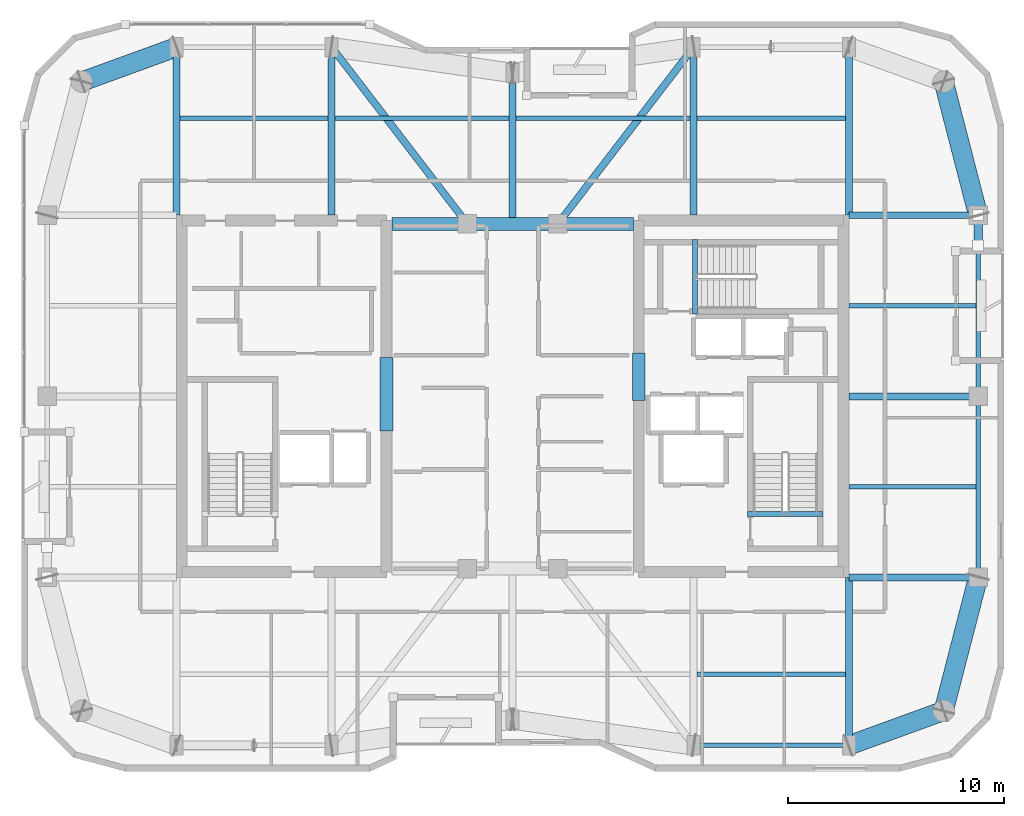
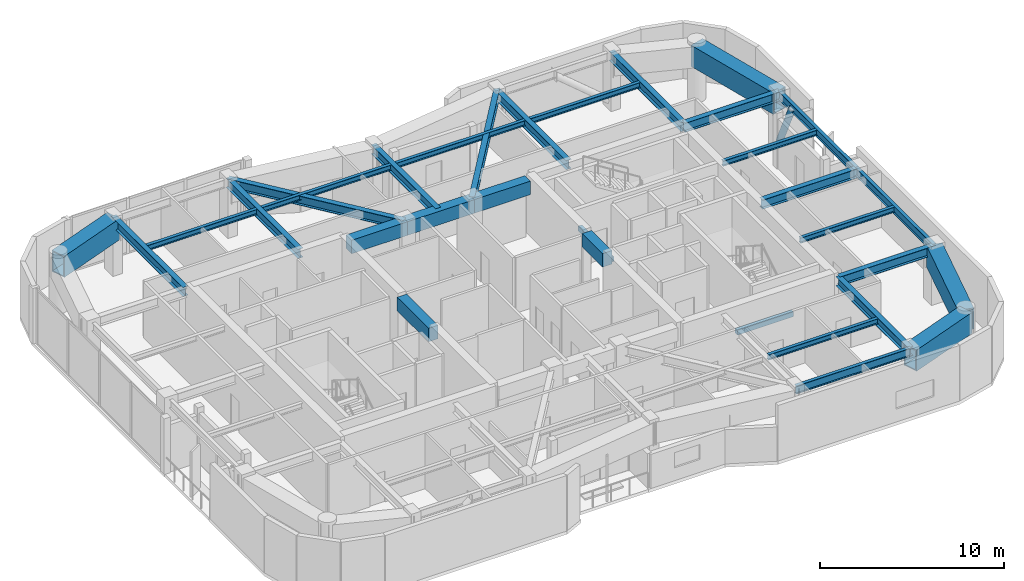
# One storey, part 5 of 15: 32 beams, 1 member.
"""IFC4 building model written with IfcOpenShell, lengths in metres."""

import ifcopenshell
import ifcopenshell.guid

model = None  # the IFC model being written
_history = None  # IfcOwnerHistory: only IFC2X3 demands one
_inside = {}  # id of a spatial element -> (the spatial element, [elements in it])
_under = {}  # id of a project, library or spatial element -> (it, [spatial elements below it])
_declared = {}  # id of a project -> (the project, [libraries it declares])
_typed = {}  # id of a type object -> (the type object, [elements of that type])
_made_of = {}  # id of a material, layer set ... -> (it, [elements and type objects made of it])


def new_model(schema):
    """Start an empty IFC model of exactly this schema.

    Asked for "IFC4X3", IfcOpenShell would pick the latest addendum, in which some entities
    have other attributes; the version numbers below select the first issue.
    IFC2X3 requires an IfcOwnerHistory on every rooted entity: one is made here for all.
    """
    global model, _history
    if schema == "IFC4X3":
        model = ifcopenshell.file(schema_version=(4, 3, 0, 0))
    else:
        model = ifcopenshell.file(schema=schema)
    _inside.clear()
    _under.clear()
    _declared.clear()
    _typed.clear()
    _made_of.clear()
    _history = None
    if model.schema == "IFC2X3":
        org = make("IfcOrganization", Name="unknown")
        user = make(
            "IfcPersonAndOrganization",
            ThePerson=make("IfcPerson", FamilyName="unknown"),
            TheOrganization=org,
        )
        app = make(
            "IfcApplication",
            ApplicationDeveloper=org,
            Version="unknown",
            ApplicationFullName="unknown",
            ApplicationIdentifier="unknown",
        )
        _history = make(
            "IfcOwnerHistory",
            OwningUser=user,
            OwningApplication=app,
            ChangeAction="ADDED",
            CreationDate=0,
        )
    return model


def make(cls, **values):
    """One entity of the class cls with the attributes given. An attribute that is None is left unset."""
    return model.create_entity(
        cls, **{name: value for name, value in values.items() if value is not None}
    )


def rooted(cls, **values):
    """An entity with a GlobalId (a new one), such as an element, a storey or a relation."""
    return make(cls, GlobalId=ifcopenshell.guid.new(), OwnerHistory=_history, **values)


def si_unit(unit_type, name, prefix=None):
    """IfcSIUnit, for example si_unit("LENGTHUNIT", "METRE", prefix="MILLI")."""
    return make("IfcSIUnit", UnitType=unit_type, Prefix=prefix, Name=name)


def assignment(units):
    """IfcUnitAssignment: the units of a project."""
    return None if units is None else make("IfcUnitAssignment", Units=units)


def point(xyz):
    """IfcCartesianPoint."""
    return None if xyz is None else make("IfcCartesianPoint", Coordinates=xyz)


def direction(xyz):
    """IfcDirection."""
    return None if xyz is None else make("IfcDirection", DirectionRatios=xyz)


def frame(location, z_axis=None, x_axis=None):
    """IfcAxis2Placement3D, a coordinate frame: its origin and axes. An axis left out is left unset."""
    return make(
        "IfcAxis2Placement3D",
        Location=point(location),
        Axis=direction(z_axis),
        RefDirection=direction(x_axis),
    )


def frame_2d(location, x_axis=None):
    """IfcAxis2Placement2D, a coordinate frame in the plane: its origin and x axis."""
    return make(
        "IfcAxis2Placement2D", Location=point(location), RefDirection=direction(x_axis)
    )


def origin():
    """The frame at (0, 0, 0) with its axes left unset."""
    return frame((0.0, 0.0, 0.0))


def origin_2d():
    """The frame at (0, 0) in the plane with its x axis left unset."""
    return frame_2d((0.0, 0.0))


def place(relative_to, where):
    """IfcLocalPlacement: puts the frame where relative to a parent placement (None: the world)."""
    return make(
        "IfcLocalPlacement", PlacementRelTo=relative_to, RelativePlacement=where
    )


def context(
    kind, dimensions, precision=None, world=None, true_north=None, identifier=None
):
    """IfcGeometricRepresentationContext, for example the 3D "Model" context."""
    return make(
        "IfcGeometricRepresentationContext",
        ContextIdentifier=identifier,
        ContextType=kind,
        CoordinateSpaceDimension=dimensions,
        Precision=precision,
        WorldCoordinateSystem=world,
        TrueNorth=true_north,
    )


def subcontext(parent, identifier, kind, view, scale=None):
    """IfcGeometricRepresentationSubContext, for example "Body" below "Model"."""
    return make(
        "IfcGeometricRepresentationSubContext",
        ContextIdentifier=identifier,
        ContextType=kind,
        ParentContext=parent,
        TargetScale=scale,
        TargetView=view,
    )


def project(units=None, contexts=None):
    """IfcProject with its units and contexts."""
    return rooted(
        "IfcProject",
        Name="project",
        RepresentationContexts=contexts,
        UnitsInContext=assignment(units),
    )


def spatial(cls, under=None, at=None, **own):
    """A site, building, storey or space (cls), placed at a placement, below another one or the project."""
    s = rooted(cls, ObjectPlacement=at, **own)
    if under is not None:
        _under.setdefault(under.id(), (under, []))[1].append(s)
    return s


def profile(cls, at=None, kind="AREA", **sizes):
    """A parametric profile (cls). Its sizes go by their IFC names, for example OverallWidth=200.0."""
    return make(cls, ProfileType=kind, Position=at, **sizes)


def rectangle(**sizes):
    """IfcRectangleProfileDef."""
    return profile("IfcRectangleProfileDef", **sizes)


def hollow_rectangle(**sizes):
    """IfcRectangleHollowProfileDef."""
    return profile("IfcRectangleHollowProfileDef", **sizes)


def hollow_circle(**sizes):
    """IfcCircleHollowProfileDef."""
    return profile("IfcCircleHollowProfileDef", **sizes)


def i_section(**sizes):
    """IfcIShapeProfileDef."""
    return profile("IfcIShapeProfileDef", **sizes)


def extrude(swept, where, along, depth):
    """IfcExtrudedAreaSolid: the profile swept, set in the frame where, extruded along a direction by depth."""
    return make(
        "IfcExtrudedAreaSolid",
        SweptArea=swept,
        Position=where,
        ExtrudedDirection=direction(along),
        Depth=depth,
    )


def shape(context_of_items, identifier, shape_type, items):
    """IfcShapeRepresentation: the items that make up one representation, for example the "Body"."""
    return make(
        "IfcShapeRepresentation",
        ContextOfItems=context_of_items,
        RepresentationIdentifier=identifier,
        RepresentationType=shape_type,
        Items=items,
    )


def material(Name=None, Category=None):
    """IfcMaterial."""
    return make("IfcMaterial", Name=Name, Category=Category)


def material_profile(
    of_material, cross_section, Name=None, Category=None, Priority=None
):
    """IfcMaterialProfile: a cross section and its material."""
    return make(
        "IfcMaterialProfile",
        Name=Name,
        Material=of_material,
        Profile=cross_section,
        Priority=Priority,
        Category=Category,
    )


def profile_set(profiles, Name=None, composite=None):
    """IfcMaterialProfileSet."""
    return make(
        "IfcMaterialProfileSet",
        Name=Name,
        MaterialProfiles=profiles,
        CompositeProfile=composite,
    )


def made_of(thing, what):
    """Note that an element or type object is made of a material, layer set ...; save() writes the relation."""
    if what is not None:
        _made_of.setdefault(what.id(), (what, []))[1].append(thing)
    return thing


def type_object(cls, material=None, **own):
    """A type object (cls), such as IfcWallType, which elements share."""
    return made_of(rooted(cls, **own), material)


def element(
    cls,
    number,
    at=None,
    inside=None,
    cuts=None,
    type_object=None,
    material=None,
    context=None,
    identifier="Body",
    shape_type=None,
    held_by="IfcProductDefinitionShape",
    body=None,
    shapes=None,
    **own,
):
    """One element of the class cls, such as IfcWall. Its Tag is "e" and its number.

    at: its placement. inside: the storey or other place that contains it. cuts: it is an
    opening in that element (IfcRelVoidsElement). A single representation is given by context,
    identifier, shape_type and body (its items); several are given by shapes. held_by: the class
    of the entity that holds the representations. save() writes the other relations.
    """
    e = rooted(cls, Tag="e%d" % number, ObjectPlacement=at, **own)
    if body is not None:
        shapes = [shape(context, identifier, shape_type, body)]
    if shapes is not None:
        e.Representation = make(held_by, Representations=shapes)
    if inside is not None:
        _inside.setdefault(inside.id(), (inside, []))[1].append(e)
    if cuts is not None:
        rooted(
            "IfcRelVoidsElement", RelatingBuildingElement=cuts, RelatedOpeningElement=e
        )
    if type_object is not None:
        _typed.setdefault(type_object.id(), (type_object, []))[1].append(e)
    return made_of(e, material)


def aggregate(whole, parts):
    """IfcRelAggregates: a whole, such as a stair, and the parts it consists of."""
    return rooted("IfcRelAggregates", RelatingObject=whole, RelatedObjects=parts)


def save(model, path):
    """Write the relations noted so far, then the file.

    IfcRelAggregates (storeys below a building ...), IfcRelContainedInSpatialStructure (elements
    in a storey), IfcRelDefinesByType, IfcRelAssociatesMaterial and IfcRelDeclares: one each for
    every whole, place, type object, material and project.
    """
    for whole, parts in _under.values():
        aggregate(whole, parts)
    for where, things in _inside.values():
        rooted(
            "IfcRelContainedInSpatialStructure",
            RelatedElements=things,
            RelatingStructure=where,
        )
    for kind, things in _typed.values():
        rooted("IfcRelDefinesByType", RelatedObjects=things, RelatingType=kind)
    for what, things in _made_of.values():
        rooted("IfcRelAssociatesMaterial", RelatedObjects=things, RelatingMaterial=what)
    for by, libraries in _declared.values():
        rooted("IfcRelDeclares", RelatingContext=by, RelatedDefinitions=libraries)
    model.write(path)


model = new_model("IFC4")

# Units and contexts
model_context = context("Model", 3, precision=1e-05, world=origin(), true_north=direction((0.0, 1.0)))
body_context = subcontext(model_context, "Body", "Model", "MODEL_VIEW")
ifc_project = project(units=[si_unit("LENGTHUNIT", "METRE"), si_unit("AREAUNIT", "SQUARE_METRE"), si_unit("VOLUMEUNIT", "CUBIC_METRE"), si_unit("PLANEANGLEUNIT", "RADIAN"), si_unit("MASSUNIT", "GRAM", prefix="KILO")], contexts=[model_context])

# Site, building, storey
site_placement = place(None, origin())
site = spatial("IfcSite", under=ifc_project, at=site_placement, CompositionType="ELEMENT")
building_placement = place(site_placement, origin())
building = spatial("IfcBuilding", under=site, at=building_placement, Name="Kiyonajd Concourse Tower", CompositionType="ELEMENT")
storey_placement = place(building_placement, frame((0.0, 0.0, 321.89990234375)))
storey = spatial("IfcBuildingStorey", under=building, at=storey_placement, Name="L81", CompositionType="ELEMENT", Elevation=321.89990234375)

# Beams
ifc_material_1 = material(Name="Concrete C60/75", Category="concrete")
ifc_material_profile_1 = material_profile(ifc_material_1, rectangle(XDim=0.60009765625, YDim=0.89990234375, at=origin_2d()), Name="RCBM-600x900")
ifc_profile_set_1 = profile_set([ifc_material_profile_1], Name="Concrete C60/75")
beam_type_1 = type_object("IfcBeamType", Name="BM-COUP-900", PredefinedType="LINTEL", material=ifc_profile_set_1)
beam_1_placement = place(storey_placement, frame((42.39990234375, 44.0, 3.22998046875), z_axis=(1.0, 0.0, 0.0), x_axis=(0.0, 1.0, 0.0)))
element("IfcBeam", 1, at=beam_1_placement, inside=storey, type_object=beam_type_1, Name="L81 Core Coupling Beam N1", PredefinedType="LINTEL", context=body_context, shape_type="SweptSolid", body=[
    extrude(rectangle(XDim=0.60009765625, YDim=0.89990234375, at=origin_2d()), origin(), (0.0, 0.0, 1.0), 3.5),
])
beam_2_placement = place(storey_placement, frame((45.89990234375, 44.0, 3.22998046875), z_axis=(1.0, 0.0, 0.0), x_axis=(0.0, 1.0, 0.0)))
element("IfcBeam", 2, at=beam_2_placement, inside=storey, type_object=beam_type_1, Name="L81 Core Coupling Beam N2", PredefinedType="LINTEL", context=body_context, shape_type="SweptSolid", body=[
    extrude(rectangle(XDim=0.60009765625, YDim=0.89990234375, at=origin_2d()), origin(), (0.0, 0.0, 1.0), 4.2001953125),
])
beam_3_placement = place(storey_placement, frame((50.10009765625, 44.0, 3.22998046875), z_axis=(1.0, 0.0, 0.0), x_axis=(0.0, 1.0, 0.0)))
element("IfcBeam", 3, at=beam_3_placement, inside=storey, type_object=beam_type_1, Name="L81 Core Coupling Beam N3", PredefinedType="LINTEL", context=body_context, shape_type="SweptSolid", body=[
    extrude(rectangle(XDim=0.60009765625, YDim=0.89990234375, at=origin_2d()), origin(), (0.0, 0.0, 1.0), 3.5),
])
beam_4_placement = place(storey_placement, frame((42.14990234375, 34.39990234375, 3.22998046875), z_axis=(0.0, 1.0, 0.0), x_axis=(-1.0, 0.0, 0.0)))
element("IfcBeam", 4, at=beam_4_placement, inside=storey, type_object=beam_type_1, Name="L81 West Core Throat Coupling Lintel", PredefinedType="LINTEL", context=body_context, shape_type="SweptSolid", body=[
    extrude(rectangle(XDim=0.60009765625, YDim=0.89990234375, at=origin_2d()), origin(), (0.0, 0.0, 1.0), 3.400146484375),
])
beam_5_placement = place(storey_placement, frame((53.85009765625, 35.800048828125, 3.22998046875), z_axis=(0.0, 1.0, 0.0), x_axis=(-1.0, 0.0, 0.0)))
element("IfcBeam", 5, at=beam_5_placement, inside=storey, type_object=beam_type_1, Name="L81 East Core Throat Coupling Lintel", PredefinedType="LINTEL", context=body_context, shape_type="SweptSolid", body=[
    extrude(rectangle(XDim=0.60009765625, YDim=0.89990234375, at=origin_2d()), origin(), (0.0, 0.0, 1.0), 2.199951171875),
])
ifc_material_2 = material(Name="Steel ASTM A992 Grade 50", Category="steel")
ifc_material_profile_2 = material_profile(ifc_material_2, i_section(OverallWidth=0.205078125, OverallDepth=0.35400390625, WebThickness=0.009521484375, FlangeThickness=0.016845703125, at=origin_2d()), Name="W360X79")
ifc_profile_set_2 = profile_set([ifc_material_profile_2], Name="Steel ASTM A992 Grade 50")
beam_type_2 = type_object("IfcBeamType", Name="BM-JST-360", PredefinedType="JOIST", material=ifc_profile_set_2)
for number, where, z_axis, x_axis, name in (
    (6, (56.56201171875, 23.10009765625, 3.503173828125), (1.0, 0.0, 0.0), (0.0, 1.0, 0.0), "L81 Secondary Floor Joist"),
    (7, (32.56201171875, 48.89990234375, 3.503173828125), (1.0, 0.0, 0.0), (0.0, 1.0, 0.0), "L81 Secondary Floor Joist"),
):
    element("IfcBeam", number, at=place(storey_placement, frame(where, z_axis=z_axis, x_axis=x_axis)), inside=storey, type_object=beam_type_2, Name=name, PredefinedType="JOIST", context=body_context, shape_type="SweptSolid", body=[
        extrude(i_section(OverallWidth=0.205078125, OverallDepth=0.35400390625, WebThickness=0.009521484375, FlangeThickness=0.016845703125, at=origin_2d()), origin(), (0.0, 0.0, 1.0), 6.8759765625),
    ])
for number, where, z_axis, x_axis, name in (
    (8, (39.761962890625, 48.89990234375, 3.503173828125), (1.0, 0.0, 0.0), (0.0, 1.0, 0.0), "L81 Secondary Floor Joist"),
    (9, (48.162109375, 48.89990234375, 3.503173828125), (1.0, 0.0, 0.0), (0.0, 1.0, 0.0), "L81 Secondary Floor Joist"),
):
    element("IfcBeam", number, at=place(storey_placement, frame(where, z_axis=z_axis, x_axis=x_axis)), inside=storey, type_object=beam_type_2, Name=name, PredefinedType="JOIST", context=body_context, shape_type="SweptSolid", body=[
        extrude(i_section(OverallWidth=0.205078125, OverallDepth=0.35400390625, WebThickness=0.009521484375, FlangeThickness=0.016845703125, at=origin_2d()), origin(), (0.0, 0.0, 1.0), 8.075927734375),
    ])
beam_6_placement = place(storey_placement, frame((56.56201171875, 48.89990234375, 3.503173828125), z_axis=(1.0, 0.0, 0.0), x_axis=(0.0, 1.0, 0.0)))
element("IfcBeam", 10, at=beam_6_placement, inside=storey, type_object=beam_type_2, Name="L81 Secondary Floor Joist", PredefinedType="JOIST", context=body_context, shape_type="SweptSolid", body=[
    extrude(i_section(OverallWidth=0.205078125, OverallDepth=0.35400390625, WebThickness=0.009521484375, FlangeThickness=0.016845703125, at=origin_2d()), origin(), (0.0, 0.0, 1.0), 6.8759765625),
])
for number, where, z_axis, x_axis, name in (
    (11, (63.60009765625, 31.800048828125, 3.503173828125), (1.0, 0.0, 0.0), (0.0, 1.0, 0.0), "L81 East Secondary Floor Joist"),
    (12, (63.60009765625, 40.199951171875, 3.503173828125), (1.0, 0.0, 0.0), (0.0, 1.0, 0.0), "L81 East Secondary Floor Joist"),
):
    element("IfcBeam", number, at=place(storey_placement, frame(where, z_axis=z_axis, x_axis=x_axis)), inside=storey, type_object=beam_type_2, Name=name, PredefinedType="JOIST", context=body_context, shape_type="SweptSolid", body=[
        extrude(i_section(OverallWidth=0.205078125, OverallDepth=0.35400390625, WebThickness=0.009521484375, FlangeThickness=0.016845703125, at=origin_2d()), origin(), (0.0, 0.0, 1.0), 5.894287109375),
    ])
ifc_material_3 = material(Name="Concrete C50/60", Category="concrete")
ifc_material_profile_3 = material_profile(ifc_material_3, rectangle(XDim=0.239990234375, YDim=0.320068359375, at=origin_2d()), Name="RCBM-240x320")
ifc_profile_set_3 = profile_set([ifc_material_profile_3], Name="Concrete C50/60")
beam_type_3 = type_object("IfcBeamType", Name="BM-LNT-250", PredefinedType="LINTEL", material=ifc_profile_set_3)
beam_7_placement = place(storey_placement, frame((58.889892578125, 30.530029296875, -0.159912109375), z_axis=(1.0, 0.0, 0.0), x_axis=(0.0, 1.0, 0.0)))
element("IfcBeam", 13, at=beam_7_placement, inside=storey, type_object=beam_type_3, Name="L81 Stair ST2 Threshold Support Beam", PredefinedType="LINTEL", context=body_context, shape_type="SweptSolid", body=[
    extrude(rectangle(XDim=0.239990234375, YDim=0.320068359375, at=origin_2d()), origin(), (0.0, 0.0, 1.0), 3.52001953125),
])
beam_8_placement = place(storey_placement, frame((56.4599609375, 39.820068359375, -0.159912109375), z_axis=(0.0, 1.0, 0.0), x_axis=(-1.0, 0.0, 0.0)))
element("IfcBeam", 14, at=beam_8_placement, inside=storey, type_object=beam_type_3, Name="L81 Stair ST3 Threshold Support Beam", PredefinedType="LINTEL", context=body_context, shape_type="SweptSolid", body=[
    extrude(rectangle(XDim=0.239990234375, YDim=0.320068359375, at=origin_2d()), origin(), (0.0, 0.0, 1.0), 3.4599609375),
])
ifc_material_profile_4 = material_profile(ifc_material_2, i_section(OverallWidth=0.2109375, OverallDepth=0.5390625, WebThickness=0.01171875, FlangeThickness=0.018798828125, at=origin_2d()), Name="W530X109")
ifc_profile_set_4 = profile_set([ifc_material_profile_4], Name="Steel ASTM A992 Grade 50")
beam_type_4 = type_object("IfcBeamType", Name="BM-SPAN-530B", PredefinedType="SPANDREL", material=ifc_profile_set_4)
beam_9_placement = place(storey_placement, frame((56.39990234375, 19.800048828125, 3.41064453125), z_axis=(1.0, 0.0, 0.0), x_axis=(0.0, 1.0, 0.0)))
element("IfcBeam", 15, at=beam_9_placement, inside=storey, type_object=beam_type_4, Name="L81 Perimeter Bundled Tube Spandrel", PredefinedType="SPANDREL", context=body_context, shape_type="SweptSolid", body=[
    extrude(i_section(OverallWidth=0.2109375, OverallDepth=0.5390625, WebThickness=0.01171875, FlangeThickness=0.018798828125, at=origin_2d()), origin(), (0.0, 0.0, 1.0), 7.2001953125),
])
for number, where, z_axis, x_axis, name in (
    (16, (69.60009765625, 27.60009765625, 3.41064453125), (0.0, 1.0, 0.0), (-1.0, 0.0, 0.0), "L81 Perimeter Bundled Tube Spandrel"),
    (17, (69.60009765625, 36.0, 3.41064453125), (0.0, 1.0, 0.0), (-1.0, 0.0, 0.0), "L81 Perimeter Bundled Tube Spandrel"),
):
    element("IfcBeam", number, at=place(storey_placement, frame(where, z_axis=z_axis, x_axis=x_axis)), inside=storey, type_object=beam_type_4, Name=name, PredefinedType="SPANDREL", context=body_context, shape_type="SweptSolid", body=[
        extrude(i_section(OverallWidth=0.2109375, OverallDepth=0.5390625, WebThickness=0.01171875, FlangeThickness=0.018798828125, at=origin_2d()), origin(), (0.0, 0.0, 1.0), 8.39990234375),
    ])
ifc_material_profile_5 = material_profile(ifc_material_2, i_section(OverallWidth=0.326904296875, OverallDepth=0.6220703125, WebThickness=0.015380859375, FlangeThickness=0.0244140625, at=origin_2d()), Name="W610X195")
ifc_profile_set_5 = profile_set([ifc_material_profile_5], Name="Steel ASTM A992 Grade 50")
beam_type_5 = type_object("IfcBeamType", Name="BM-TWR-610A", PredefinedType="BEAM", material=ifc_profile_set_5)
for number, where, z_axis, x_axis, name in (
    (18, (39.60009765625, 52.199951171875, 3.369140625), (0.609233709922, -0.792990722956, 0.0), (0.792990722956, 0.609233709922, 0.0), "L81 Core Tie Girder"),
    (19, (50.10009765625, 44.0, 3.369140625), (0.609233709922, 0.792990722956, 0.0), (-0.792990722956, 0.609233709922, 0.0), "L81 Core Tie Girder"),
):
    element("IfcBeam", number, at=place(storey_placement, frame(where, z_axis=z_axis, x_axis=x_axis)), inside=storey, type_object=beam_type_5, Name=name, PredefinedType="BEAM", context=body_context, shape_type="SweptSolid", body=[
        extrude(i_section(OverallWidth=0.326904296875, OverallDepth=0.6220703125, WebThickness=0.015380859375, FlangeThickness=0.0244140625, at=origin_2d()), origin(), (0.0, 0.0, 1.0), 10.340576171875),
    ])
ifc_material_profile_6 = material_profile(ifc_material_2, i_section(OverallWidth=0.323974609375, OverallDepth=0.611083984375, WebThickness=0.0126953125, FlangeThickness=0.01904296875, at=origin_2d()), Name="W610X155")
ifc_profile_set_6 = profile_set([ifc_material_profile_6], Name="Steel ASTM A992 Grade 50")
beam_type_6 = type_object("IfcBeamType", Name="BM-TWR-610B", PredefinedType="BEAM", material=ifc_profile_set_6)
for number, where, z_axis, x_axis, name in (
    (20, (32.39990234375, 44.39990234375, 3.37451171875), (0.0, 1.0, 0.0), (-1.0, 0.0, 0.0), "L81 North Lease Girder"),
    (21, (39.60009765625, 44.39990234375, 3.37451171875), (0.0, 1.0, 0.0), (-1.0, 0.0, 0.0), "L81 North Lease Girder"),
    (22, (56.39990234375, 44.39990234375, 3.37451171875), (0.0, 1.0, 0.0), (-1.0, 0.0, 0.0), "L81 North Lease Girder"),
    (23, (63.60009765625, 19.800048828125, 3.37451171875), (0.0, 1.0, 0.0), (-1.0, 0.0, 0.0), "L81 South Lease Girder"),
    (24, (63.60009765625, 44.39990234375, 3.37451171875), (0.0, 1.0, 0.0), (-1.0, 0.0, 0.0), "L81 North Lease Girder"),
):
    element("IfcBeam", number, at=place(storey_placement, frame(where, z_axis=z_axis, x_axis=x_axis)), inside=storey, type_object=beam_type_6, Name=name, PredefinedType="BEAM", context=body_context, shape_type="SweptSolid", body=[
        extrude(i_section(OverallWidth=0.323974609375, OverallDepth=0.611083984375, WebThickness=0.0126953125, FlangeThickness=0.01904296875, at=origin_2d()), origin(), (0.0, 0.0, 1.0), 7.800048828125),
    ])
beam_10_placement = place(storey_placement, frame((48.0, 44.0, 3.37451171875), z_axis=(0.0, 1.0, 0.0), x_axis=(-1.0, 0.0, 0.0)))
element("IfcBeam", 25, at=beam_10_placement, inside=storey, type_object=beam_type_6, Name="L81 North Ribbon Girder", PredefinedType="BEAM", context=body_context, shape_type="SweptSolid", body=[
    extrude(i_section(OverallWidth=0.323974609375, OverallDepth=0.611083984375, WebThickness=0.0126953125, FlangeThickness=0.01904296875, at=origin_2d()), origin(), (0.0, 0.0, 1.0), 7.0),
])
for number, where, z_axis, x_axis, name in (
    (26, (63.60009765625, 27.60009765625, 3.37451171875), (1.0, 0.0, 0.0), (0.0, 1.0, 0.0), "L81 East Lease Girder"),
    (27, (63.60009765625, 36.0, 3.37451171875), (1.0, 0.0, 0.0), (0.0, 1.0, 0.0), "L81 East Lease Girder"),
    (28, (63.60009765625, 44.39990234375, 3.37451171875), (1.0, 0.0, 0.0), (0.0, 1.0, 0.0), "L81 East Lease Girder"),
):
    element("IfcBeam", number, at=place(storey_placement, frame(where, z_axis=z_axis, x_axis=x_axis)), inside=storey, type_object=beam_type_6, Name=name, PredefinedType="BEAM", context=body_context, shape_type="SweptSolid", body=[
        extrude(i_section(OverallWidth=0.323974609375, OverallDepth=0.611083984375, WebThickness=0.0126953125, FlangeThickness=0.01904296875, at=origin_2d()), origin(), (0.0, 0.0, 1.0), 6.0),
    ])
ifc_material_4 = material(Name="Steel ASTM A572 Grade 50", Category="steel")
ifc_material_profile_7 = material_profile(ifc_material_4, hollow_rectangle(XDim=0.89990234375, YDim=1.39990234375, WallThickness=0.070068359375, at=origin_2d()), Name="BOX-1400x900x70")
ifc_profile_set_7 = profile_set([ifc_material_profile_7], Name="Steel ASTM A572 Grade 50")
beam_type_7 = type_object("IfcBeamType", Name="BM-XFER-1400", PredefinedType="BEAM", material=ifc_profile_set_7)
beam_11_placement = place(storey_placement, frame((63.60009765625, 19.800048828125, 2.97998046875), z_axis=(0.939801036019, 0.341722127901, 0.0), x_axis=(-0.341722127901, 0.939801036019, 0.0)))
element("IfcBeam", 29, at=beam_11_placement, inside=storey, type_object=beam_type_7, Name="L81 Perimeter Bundled Tube Spandrel", PredefinedType="BEAM", context=body_context, shape_type="SweptSolid", body=[
    extrude(hollow_rectangle(XDim=0.89990234375, YDim=1.39990234375, WallThickness=0.070068359375, at=origin_2d()), origin(), (0.0, 0.0, 1.0), 4.681640625),
])
for number, where, z_axis, x_axis, name in (
    (30, (68.0, 21.39990234375, 2.97998046875), (0.249884937687, 0.968275538221, 0.0), (-0.968275538221, 0.249884937687, 0.0), "L81 Perimeter Bundled Tube Spandrel"),
    (31, (69.60009765625, 44.39990234375, 2.97998046875), (-0.249884937687, 0.968275538221, 0.0), (-0.968275538221, -0.249884937687, 0.0), "L81 Perimeter Bundled Tube Spandrel"),
):
    element("IfcBeam", number, at=place(storey_placement, frame(where, z_axis=z_axis, x_axis=x_axis)), inside=storey, type_object=beam_type_7, Name=name, PredefinedType="BEAM", context=body_context, shape_type="SweptSolid", body=[
        extrude(hollow_rectangle(XDim=0.89990234375, YDim=1.39990234375, WallThickness=0.070068359375, at=origin_2d()), origin(), (0.0, 0.0, 1.0), 6.4033203125),
    ])
beam_12_placement = place(storey_placement, frame((32.39990234375, 52.199951171875, 2.97998046875), z_axis=(-0.939801036019, -0.341722127901, 0.0), x_axis=(0.341722127901, -0.939801036019, 0.0)))
element("IfcBeam", 32, at=beam_12_placement, inside=storey, type_object=beam_type_7, Name="L81 Perimeter Bundled Tube Spandrel", PredefinedType="BEAM", context=body_context, shape_type="SweptSolid", body=[
    extrude(hollow_rectangle(XDim=0.89990234375, YDim=1.39990234375, WallThickness=0.070068359375, at=origin_2d()), origin(), (0.0, 0.0, 1.0), 4.681640625),
])

# Member
ifc_material_5 = material(Name="Steel ASTM A500 Grade C", Category="steel")
ifc_material_profile_8 = material_profile(ifc_material_5, hollow_circle(Radius=0.202880859375, WallThickness=0.01904296875, at=origin_2d()), Name="CHS-406x19")
ifc_profile_set_8 = profile_set([ifc_material_profile_8], Name="Steel ASTM A500 Grade C")
member_type = type_object("IfcMemberType", Name="MB-PB-HIGH", PredefinedType="BRACE", material=ifc_profile_set_8)
member_placement = place(storey_placement, frame((69.60009765625, 44.39990234375, 0.300048828125), z_axis=(0.0, -0.419410666774, 0.907796614114), x_axis=(1.0, 0.0, 0.0)))
element("IfcMember", 33, at=member_placement, inside=storey, type_object=member_type, Name="L81 Upper Zone Hollow Tube Brace PBE", PredefinedType="BRACE", context=body_context, shape_type="SweptSolid", body=[
    extrude(hollow_circle(Radius=0.202880859375, WallThickness=0.01904296875, at=origin_2d()), origin(), (0.0, 0.0, 1.0), 3.337890625),
])

save(model, "model.ifc")
